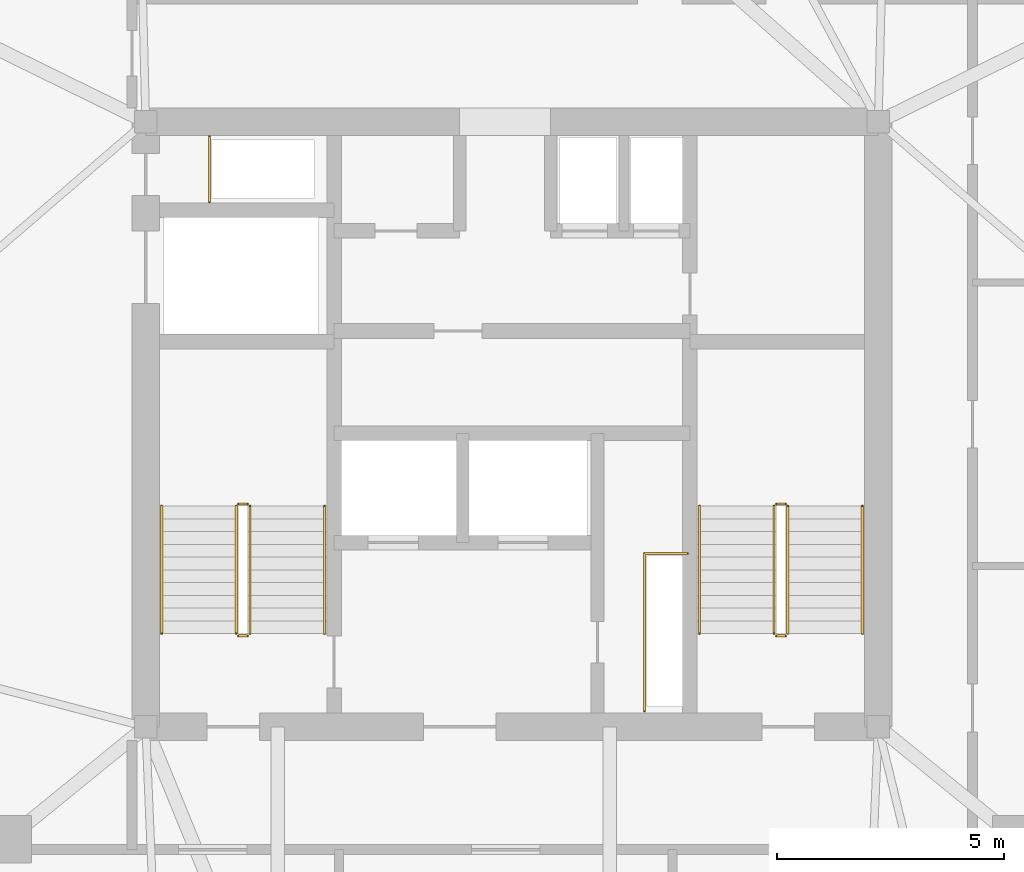
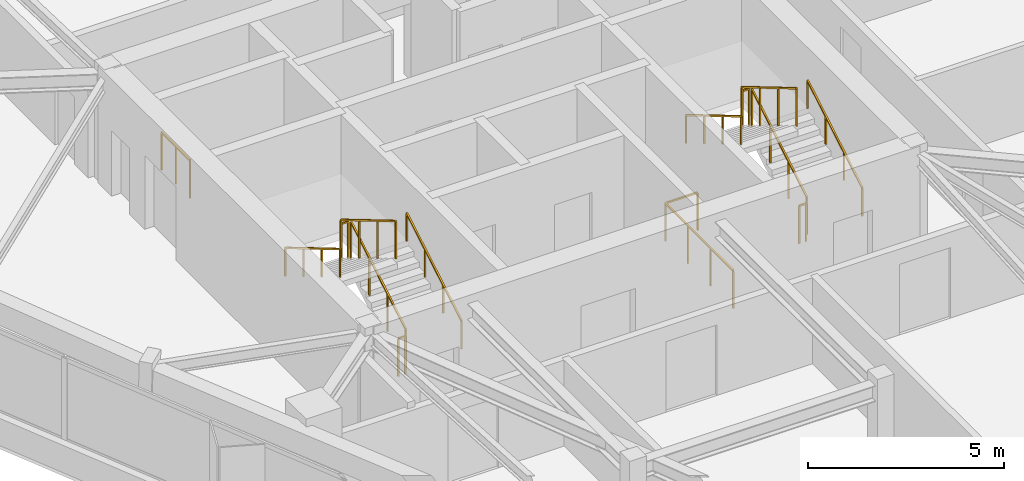
# One storey, part 9 of 9: 14 railings.
"""IFC4 building model written with IfcOpenShell, lengths in metres."""

from ifc_helpers import new_model, si_unit, direction, frame, origin, origin_2d, place, context, subcontext, project, spatial, rectangle, extrude, material, type_object, element, save


model = new_model("IFC4")

# Units and contexts
model_context = context("Model", 3, precision=1e-05, world=origin(), true_north=direction((0.0, 1.0)))
body_context = subcontext(model_context, "Body", "Model", "MODEL_VIEW")
ifc_project = project(units=[si_unit("LENGTHUNIT", "METRE"), si_unit("AREAUNIT", "SQUARE_METRE"), si_unit("VOLUMEUNIT", "CUBIC_METRE"), si_unit("PLANEANGLEUNIT", "RADIAN"), si_unit("MASSUNIT", "GRAM", prefix="KILO")], contexts=[model_context])

# Site, building, storey
site_placement = place(None, origin())
site = spatial("IfcSite", under=ifc_project, at=site_placement, CompositionType="ELEMENT")
building_placement = place(site_placement, origin())
building = spatial("IfcBuilding", under=site, at=building_placement, Name="Talyreon Biosciences Tower", CompositionType="ELEMENT")
storey_placement = place(building_placement, frame((0.0, 0.0, 294.75)))
storey = spatial("IfcBuildingStorey", under=building, at=storey_placement, Name="L78", CompositionType="ELEMENT", Elevation=294.75)

# Railings
ifc_material_1 = material(Name="Brushed stainless-steel tubular handrail", Category="steel")
railing_type_1 = type_object("IfcRailingType", Name="StairWallHandrail_900", PredefinedType="HANDRAIL", material=ifc_material_1)
railing_1_placement = place(storey_placement, frame((61.8798828125, 63.39990234375, 0.166015625)))
element("IfcRailing", 1, at=railing_1_placement, inside=storey, type_object=railing_type_1, Name="L78 ST-1 stair handrail 1", PredefinedType="HANDRAIL", context=body_context, shape_type="SweptSolid", body=[
    extrude(rectangle(XDim=0.048095703125, YDim=0.048095703125, at=origin_2d()), frame((0.0, 0.0, 0.8759765625), z_axis=(0.0, 0.860339051648, 0.50972219513), x_axis=(-1.0, 0.0, 0.0)), (0.0, 0.0, 1.0), 3.254638671875),
    extrude(rectangle(XDim=0.0419921875, YDim=0.0419921875, at=origin_2d()), origin(), (0.0, 0.0, 1.0), 0.851806640625),
    extrude(rectangle(XDim=0.0419921875, YDim=0.0419921875, at=origin_2d()), frame((0.0, 0.933349609375, 0.552978515625)), (0.0, 0.0, 1.0), 0.851806640625),
    extrude(rectangle(XDim=0.0419921875, YDim=0.0419921875, at=origin_2d()), frame((0.0, 1.86669921875, 1.10595703125)), (0.0, 0.0, 1.0), 0.851806640625),
    extrude(rectangle(XDim=0.0419921875, YDim=0.0419921875, at=origin_2d()), frame((0.0, 2.800048828125, 1.658935546875)), (0.0, 0.0, 1.0), 0.851806640625),
])
railing_2_placement = place(storey_placement, frame((58.300048828125, 66.199951171875, 1.990966796875)))
element("IfcRailing", 2, at=railing_2_placement, inside=storey, type_object=railing_type_1, Name="L78 ST-1 stair handrail 2", PredefinedType="HANDRAIL", context=body_context, shape_type="SweptSolid", body=[
    extrude(rectangle(XDim=0.048095703125, YDim=0.048095703125, at=origin_2d()), frame((0.0, 0.0, 0.8759765625), z_axis=(0.0, -0.860339051648, 0.50972219513), x_axis=(1.0, 0.0, 0.0)), (0.0, 0.0, 1.0), 3.254638671875),
    extrude(rectangle(XDim=0.0419921875, YDim=0.0419921875, at=origin_2d()), origin(), (0.0, 0.0, 1.0), 0.851806640625),
    extrude(rectangle(XDim=0.0419921875, YDim=0.0419921875, at=origin_2d()), frame((0.0, -0.933349609375, 0.552978515625)), (0.0, 0.0, 1.0), 0.851806640625),
    extrude(rectangle(XDim=0.0419921875, YDim=0.0419921875, at=origin_2d()), frame((0.0, -1.86669921875, 1.10595703125)), (0.0, 0.0, 1.0), 0.851806640625),
    extrude(rectangle(XDim=0.0419921875, YDim=0.0419921875, at=origin_2d()), frame((0.0, -2.800048828125, 1.658935546875)), (0.0, 0.0, 1.0), 0.851806640625),
])
railing_3_placement = place(storey_placement, frame((73.699951171875, 63.39990234375, 0.166015625)))
element("IfcRailing", 3, at=railing_3_placement, inside=storey, type_object=railing_type_1, Name="L78 ST-2 stair handrail 1", PredefinedType="HANDRAIL", context=body_context, shape_type="SweptSolid", body=[
    extrude(rectangle(XDim=0.048095703125, YDim=0.048095703125, at=origin_2d()), frame((0.0, 0.0, 0.8759765625), z_axis=(0.0, 0.860339051648, 0.50972219513), x_axis=(-1.0, 0.0, 0.0)), (0.0, 0.0, 1.0), 3.254638671875),
    extrude(rectangle(XDim=0.0419921875, YDim=0.0419921875, at=origin_2d()), origin(), (0.0, 0.0, 1.0), 0.851806640625),
    extrude(rectangle(XDim=0.0419921875, YDim=0.0419921875, at=origin_2d()), frame((0.0, 0.933349609375, 0.552978515625)), (0.0, 0.0, 1.0), 0.851806640625),
    extrude(rectangle(XDim=0.0419921875, YDim=0.0419921875, at=origin_2d()), frame((0.0, 1.86669921875, 1.10595703125)), (0.0, 0.0, 1.0), 0.851806640625),
    extrude(rectangle(XDim=0.0419921875, YDim=0.0419921875, at=origin_2d()), frame((0.0, 2.800048828125, 1.658935546875)), (0.0, 0.0, 1.0), 0.851806640625),
])
railing_4_placement = place(storey_placement, frame((70.1201171875, 66.199951171875, 1.990966796875)))
element("IfcRailing", 4, at=railing_4_placement, inside=storey, type_object=railing_type_1, Name="L78 ST-2 stair handrail 2", PredefinedType="HANDRAIL", context=body_context, shape_type="SweptSolid", body=[
    extrude(rectangle(XDim=0.048095703125, YDim=0.048095703125, at=origin_2d()), frame((0.0, 0.0, 0.8759765625), z_axis=(0.0, -0.860339051648, 0.50972219513), x_axis=(1.0, 0.0, 0.0)), (0.0, 0.0, 1.0), 3.254638671875),
    extrude(rectangle(XDim=0.0419921875, YDim=0.0419921875, at=origin_2d()), origin(), (0.0, 0.0, 1.0), 0.851806640625),
    extrude(rectangle(XDim=0.0419921875, YDim=0.0419921875, at=origin_2d()), frame((0.0, -0.933349609375, 0.552978515625)), (0.0, 0.0, 1.0), 0.851806640625),
    extrude(rectangle(XDim=0.0419921875, YDim=0.0419921875, at=origin_2d()), frame((0.0, -1.86669921875, 1.10595703125)), (0.0, 0.0, 1.0), 0.851806640625),
    extrude(rectangle(XDim=0.0419921875, YDim=0.0419921875, at=origin_2d()), frame((0.0, -2.800048828125, 1.658935546875)), (0.0, 0.0, 1.0), 0.851806640625),
])
ifc_material_2 = material(Name="Painted galvanised steel post-and-rail balustrade", Category="steel")
railing_type_2 = type_object("IfcRailingType", Name="TerraceStairGuard_1200", PredefinedType="GUARDRAIL", material=ifc_material_2)
railing_5_placement = place(storey_placement, frame((60.239990234375, 63.39990234375, 0.166015625)))
element("IfcRailing", 5, at=railing_5_placement, inside=storey, type_object=railing_type_2, Name="L78 ST-1 stair guard 1", PredefinedType="GUARDRAIL", context=body_context, shape_type="SweptSolid", body=[
    extrude(rectangle(XDim=0.048095703125, YDim=0.048095703125, at=origin_2d()), frame((0.0, 0.0, 1.17578125), z_axis=(0.0, 0.860339051648, 0.50972219513), x_axis=(-1.0, 0.0, 0.0)), (0.0, 0.0, 1.0), 3.254638671875),
    extrude(rectangle(XDim=0.0419921875, YDim=0.0419921875, at=origin_2d()), origin(), (0.0, 0.0, 1.0), 1.15185546875),
    extrude(rectangle(XDim=0.0419921875, YDim=0.0419921875, at=origin_2d()), frame((0.0, 0.933349609375, 0.552978515625)), (0.0, 0.0, 1.0), 1.15185546875),
    extrude(rectangle(XDim=0.0419921875, YDim=0.0419921875, at=origin_2d()), frame((0.0, 1.86669921875, 1.10595703125)), (0.0, 0.0, 1.0), 1.15185546875),
    extrude(rectangle(XDim=0.0419921875, YDim=0.0419921875, at=origin_2d()), frame((0.0, 2.800048828125, 1.658935546875)), (0.0, 0.0, 1.0), 1.15185546875),
])
railing_6_placement = place(storey_placement, frame((60.18994140625, 66.25, 1.824951171875)))
element("IfcRailing", 6, at=railing_6_placement, inside=storey, type_object=railing_type_2, Name="L78 ST-1 stair guard 2", PredefinedType="GUARDRAIL", context=body_context, shape_type="SweptSolid", body=[
    extrude(rectangle(XDim=0.048095703125, YDim=0.048095703125, at=origin_2d()), frame((0.0, 0.0, 1.17578125), z_axis=(-1.0, 0.0, 0.0), x_axis=(0.0, -1.0, 0.0)), (0.0, 0.0, 1.0), 0.199951171875),
    extrude(rectangle(XDim=0.0419921875, YDim=0.0419921875, at=origin_2d()), origin(), (0.0, 0.0, 1.0), 1.15185546875),
    extrude(rectangle(XDim=0.0419921875, YDim=0.0419921875, at=origin_2d()), frame((-0.199951171875, 0.0, 0.0)), (0.0, 0.0, 1.0), 1.15185546875),
])
railing_7_placement = place(storey_placement, frame((59.93994140625, 66.199951171875, 1.990966796875)))
element("IfcRailing", 7, at=railing_7_placement, inside=storey, type_object=railing_type_2, Name="L78 ST-1 stair guard 3", PredefinedType="GUARDRAIL", context=body_context, shape_type="SweptSolid", body=[
    extrude(rectangle(XDim=0.048095703125, YDim=0.048095703125, at=origin_2d()), frame((0.0, 0.0, 1.17578125), z_axis=(0.0, -0.860339051648, 0.50972219513), x_axis=(1.0, 0.0, 0.0)), (0.0, 0.0, 1.0), 3.254638671875),
    extrude(rectangle(XDim=0.0419921875, YDim=0.0419921875, at=origin_2d()), origin(), (0.0, 0.0, 1.0), 1.15185546875),
    extrude(rectangle(XDim=0.0419921875, YDim=0.0419921875, at=origin_2d()), frame((0.0, -0.933349609375, 0.552978515625)), (0.0, 0.0, 1.0), 1.15185546875),
    extrude(rectangle(XDim=0.0419921875, YDim=0.0419921875, at=origin_2d()), frame((0.0, -1.86669921875, 1.10595703125)), (0.0, 0.0, 1.0), 1.15185546875),
    extrude(rectangle(XDim=0.0419921875, YDim=0.0419921875, at=origin_2d()), frame((0.0, -2.800048828125, 1.658935546875)), (0.0, 0.0, 1.0), 1.15185546875),
])
railing_8_placement = place(storey_placement, frame((60.18994140625, 63.35009765625, 0.0)))
element("IfcRailing", 8, at=railing_8_placement, inside=storey, type_object=railing_type_2, Name="L78 ST-1 stair guard 4", PredefinedType="GUARDRAIL", context=body_context, shape_type="SweptSolid", body=[
    extrude(rectangle(XDim=0.048095703125, YDim=0.048095703125, at=origin_2d()), frame((0.0, 0.0, 1.17578125), z_axis=(-1.0, 0.0, 0.0), x_axis=(0.0, -1.0, 0.0)), (0.0, 0.0, 1.0), 0.199951171875),
    extrude(rectangle(XDim=0.0419921875, YDim=0.0419921875, at=origin_2d()), origin(), (0.0, 0.0, 1.0), 1.15185546875),
    extrude(rectangle(XDim=0.0419921875, YDim=0.0419921875, at=origin_2d()), frame((-0.199951171875, 0.0, 0.0)), (0.0, 0.0, 1.0), 1.15185546875),
])
railing_9_placement = place(storey_placement, frame((72.06005859375, 63.39990234375, 0.166015625)))
element("IfcRailing", 9, at=railing_9_placement, inside=storey, type_object=railing_type_2, Name="L78 ST-2 stair guard 1", PredefinedType="GUARDRAIL", context=body_context, shape_type="SweptSolid", body=[
    extrude(rectangle(XDim=0.048095703125, YDim=0.048095703125, at=origin_2d()), frame((0.0, 0.0, 1.17578125), z_axis=(0.0, 0.860339051648, 0.50972219513), x_axis=(-1.0, 0.0, 0.0)), (0.0, 0.0, 1.0), 3.254638671875),
    extrude(rectangle(XDim=0.0419921875, YDim=0.0419921875, at=origin_2d()), origin(), (0.0, 0.0, 1.0), 1.15185546875),
    extrude(rectangle(XDim=0.0419921875, YDim=0.0419921875, at=origin_2d()), frame((0.0, 0.933349609375, 0.552978515625)), (0.0, 0.0, 1.0), 1.15185546875),
    extrude(rectangle(XDim=0.0419921875, YDim=0.0419921875, at=origin_2d()), frame((0.0, 1.86669921875, 1.10595703125)), (0.0, 0.0, 1.0), 1.15185546875),
    extrude(rectangle(XDim=0.0419921875, YDim=0.0419921875, at=origin_2d()), frame((0.0, 2.800048828125, 1.658935546875)), (0.0, 0.0, 1.0), 1.15185546875),
])
railing_10_placement = place(storey_placement, frame((72.010009765625, 66.25, 1.824951171875)))
element("IfcRailing", 10, at=railing_10_placement, inside=storey, type_object=railing_type_2, Name="L78 ST-2 stair guard 2", PredefinedType="GUARDRAIL", context=body_context, shape_type="SweptSolid", body=[
    extrude(rectangle(XDim=0.048095703125, YDim=0.048095703125, at=origin_2d()), frame((0.0, 0.0, 1.17578125), z_axis=(-1.0, 0.0, 0.0), x_axis=(0.0, -1.0, 0.0)), (0.0, 0.0, 1.0), 0.199951171875),
    extrude(rectangle(XDim=0.0419921875, YDim=0.0419921875, at=origin_2d()), origin(), (0.0, 0.0, 1.0), 1.15185546875),
    extrude(rectangle(XDim=0.0419921875, YDim=0.0419921875, at=origin_2d()), frame((-0.199951171875, 0.0, 0.0)), (0.0, 0.0, 1.0), 1.15185546875),
])
railing_11_placement = place(storey_placement, frame((71.760009765625, 66.199951171875, 1.990966796875)))
element("IfcRailing", 11, at=railing_11_placement, inside=storey, type_object=railing_type_2, Name="L78 ST-2 stair guard 3", PredefinedType="GUARDRAIL", context=body_context, shape_type="SweptSolid", body=[
    extrude(rectangle(XDim=0.048095703125, YDim=0.048095703125, at=origin_2d()), frame((0.0, 0.0, 1.17578125), z_axis=(0.0, -0.860339051648, 0.50972219513), x_axis=(1.0, 0.0, 0.0)), (0.0, 0.0, 1.0), 3.254638671875),
    extrude(rectangle(XDim=0.0419921875, YDim=0.0419921875, at=origin_2d()), origin(), (0.0, 0.0, 1.0), 1.15185546875),
    extrude(rectangle(XDim=0.0419921875, YDim=0.0419921875, at=origin_2d()), frame((0.0, -0.933349609375, 0.552978515625)), (0.0, 0.0, 1.0), 1.15185546875),
    extrude(rectangle(XDim=0.0419921875, YDim=0.0419921875, at=origin_2d()), frame((0.0, -1.86669921875, 1.10595703125)), (0.0, 0.0, 1.0), 1.15185546875),
    extrude(rectangle(XDim=0.0419921875, YDim=0.0419921875, at=origin_2d()), frame((0.0, -2.800048828125, 1.658935546875)), (0.0, 0.0, 1.0), 1.15185546875),
])
railing_12_placement = place(storey_placement, frame((72.010009765625, 63.35009765625, 0.0)))
element("IfcRailing", 12, at=railing_12_placement, inside=storey, type_object=railing_type_2, Name="L78 ST-2 stair guard 4", PredefinedType="GUARDRAIL", context=body_context, shape_type="SweptSolid", body=[
    extrude(rectangle(XDim=0.048095703125, YDim=0.048095703125, at=origin_2d()), frame((0.0, 0.0, 1.17578125), z_axis=(-1.0, 0.0, 0.0), x_axis=(0.0, -1.0, 0.0)), (0.0, 0.0, 1.0), 0.199951171875),
    extrude(rectangle(XDim=0.0419921875, YDim=0.0419921875, at=origin_2d()), origin(), (0.0, 0.0, 1.0), 1.15185546875),
    extrude(rectangle(XDim=0.0419921875, YDim=0.0419921875, at=origin_2d()), frame((-0.199951171875, 0.0, 0.0)), (0.0, 0.0, 1.0), 1.15185546875),
])
railing_13_placement = place(storey_placement, frame((59.35009765625, 72.8798828125, 0.0)))
element("IfcRailing", 13, at=railing_13_placement, inside=storey, type_object=railing_type_2, Name="L78 Exhaust Riser Maintenance Guardrail", PredefinedType="GUARDRAIL", context=body_context, shape_type="SweptSolid", body=[
    extrude(rectangle(XDim=0.048095703125, YDim=0.048095703125, at=origin_2d()), frame((0.0, 0.0, 1.17578125), z_axis=(0.0, 1.0, 0.0), x_axis=(-1.0, 0.0, 0.0)), (0.0, 0.0, 1.0), 1.4501953125),
    extrude(rectangle(XDim=0.0419921875, YDim=0.0419921875, at=origin_2d()), origin(), (0.0, 0.0, 1.0), 1.15185546875),
    extrude(rectangle(XDim=0.0419921875, YDim=0.0419921875, at=origin_2d()), frame((0.0, 0.72509765625, 0.0)), (0.0, 0.0, 1.0), 1.15185546875),
    extrude(rectangle(XDim=0.0419921875, YDim=0.0419921875, at=origin_2d()), frame((0.0, 1.4501953125, 0.0)), (0.0, 0.0, 1.0), 1.15185546875),
])
railing_14_placement = place(storey_placement, frame((68.909912109375, 61.699951171875, 0.0)))
element("IfcRailing", 14, at=railing_14_placement, inside=storey, type_object=railing_type_2, Name="L78 Electrical Riser Maintenance Guardrail", PredefinedType="GUARDRAIL", context=body_context, shape_type="SweptSolid", body=[
    extrude(rectangle(XDim=0.048095703125, YDim=0.048095703125, at=origin_2d()), frame((0.0, 0.0, 1.17578125), z_axis=(0.0, 1.0, 0.0), x_axis=(-1.0, 0.0, 0.0)), (0.0, 0.0, 1.0), 3.4599609375),
    extrude(rectangle(XDim=0.048095703125, YDim=0.048095703125, at=origin_2d()), frame((0.0, 3.4599609375, 1.17578125), z_axis=(1.0, 0.0, 0.0), x_axis=(0.0, 1.0, 0.0)), (0.0, 0.0, 1.0), 0.9501953125),
    extrude(rectangle(XDim=0.0419921875, YDim=0.0419921875, at=origin_2d()), origin(), (0.0, 0.0, 1.0), 1.15185546875),
    extrude(rectangle(XDim=0.0419921875, YDim=0.0419921875, at=origin_2d()), frame((0.0, 1.1533203125, 0.0)), (0.0, 0.0, 1.0), 1.15185546875),
    extrude(rectangle(XDim=0.0419921875, YDim=0.0419921875, at=origin_2d()), frame((0.0, 2.306640625, 0.0)), (0.0, 0.0, 1.0), 1.15185546875),
    extrude(rectangle(XDim=0.0419921875, YDim=0.0419921875, at=origin_2d()), frame((0.0, 3.4599609375, 0.0)), (0.0, 0.0, 1.0), 1.15185546875),
    extrude(rectangle(XDim=0.0419921875, YDim=0.0419921875, at=origin_2d()), frame((0.9501953125, 3.4599609375, 0.0)), (0.0, 0.0, 1.0), 1.15185546875),
])

save(model, "model.ifc")
